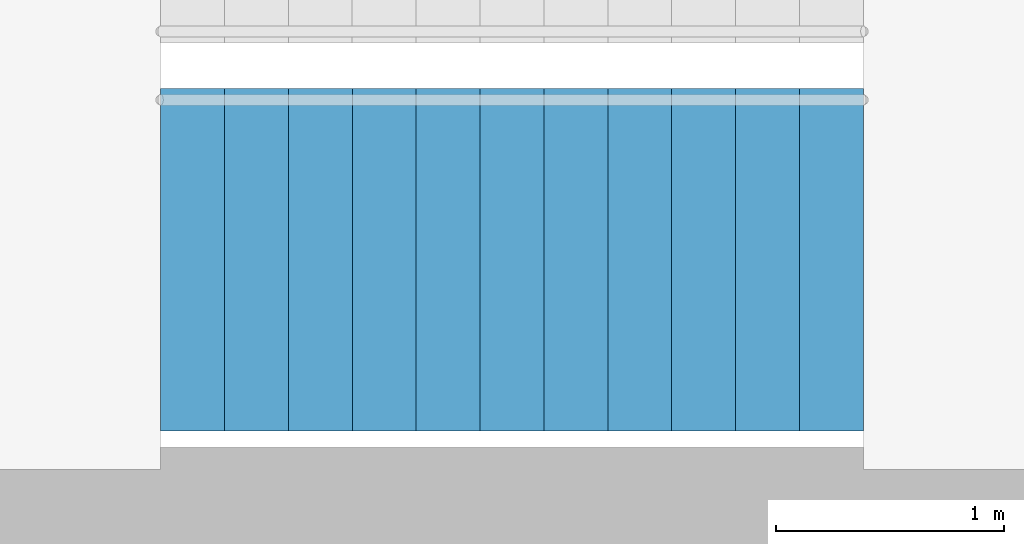
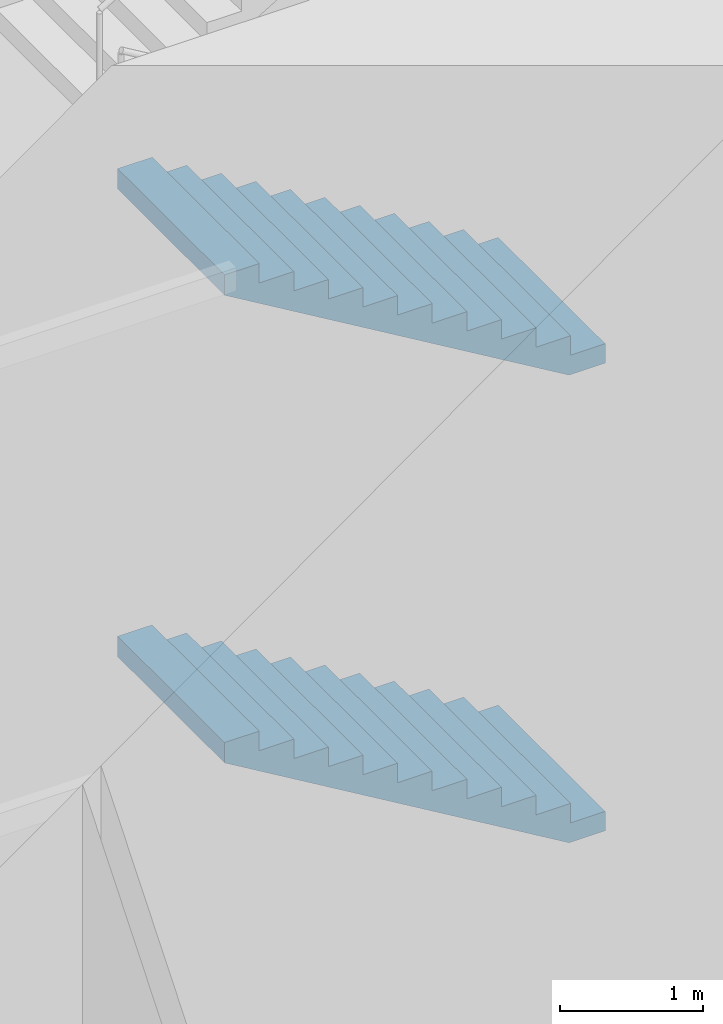
# One storey, part 32 of 74: 2 stair flights, 1 element without a shape of its own.
"""IFC4 building model written with IfcOpenShell, lengths in metres."""

from ifc_helpers import new_model, si_unit, direction, frame, origin, place, context, subcontext, project, spatial, triangles, material, type_object, element, aggregate, save


model = new_model("IFC4")

# Units and contexts
model_context = context("Model", 3, precision=1e-05, world=origin(), true_north=direction((0.0, 1.0)))
body_context = subcontext(model_context, "Body", "Model", "MODEL_VIEW")
ifc_project = project(units=[si_unit("LENGTHUNIT", "METRE"), si_unit("AREAUNIT", "SQUARE_METRE"), si_unit("VOLUMEUNIT", "CUBIC_METRE"), si_unit("PLANEANGLEUNIT", "RADIAN"), si_unit("MASSUNIT", "GRAM", prefix="KILO")], contexts=[model_context])

# Site, building, storey
site_placement = place(None, origin())
site = spatial("IfcSite", under=ifc_project, at=site_placement, CompositionType="ELEMENT")
building_placement = place(site_placement, origin())
building = spatial("IfcBuilding", under=site, at=building_placement, Name="Lantaw Convention Tower", CompositionType="ELEMENT")
storey_placement = place(building_placement, frame((0.0, 0.0, 6.5)))
storey = spatial("IfcBuildingStorey", under=building, at=storey_placement, Name="L01", CompositionType="ELEMENT", Elevation=6.5)

# Stair, stair flights
ifc_material = material(Name="Concrete C35/45", Category="concrete")
stair_type = type_object("IfcStairType", Name="Exit stair 1500 riser 166.67 in 4 flights", PredefinedType="HALF_TURN_STAIR", material=ifc_material)
stair_placement = place(storey_placement, origin())
stair = element("IfcStair", 1, at=stair_placement, inside=storey, type_object=stair_type, Name="Exit stair S2 L01", PredefinedType="HALF_TURN_STAIR")
stair_flight_type = type_object("IfcStairFlightType", Name="Stair flight 1500 riser 166.67", PredefinedType="STRAIGHT", material=ifc_material)
stair_flight_1_placement = place(storey_placement, frame((10.580078125, -5.97998046875, 0.0), z_axis=(0.0, 0.0, 1.0), x_axis=(-1.0, 0.0, 0.0)))
stair_flight_1 = element("IfcStairFlight", 2, at=stair_flight_1_placement, type_object=stair_flight_type, Name="S2 flight 1", NumberOfRisers=12, NumberOfTreads=11, PredefinedType="STRAIGHT", RiserHeight=0.166666667, TreadLength=0.28, context=body_context, shape_type="Tessellation", body=[
    triangles([(0.0, 0.75, 0.0), (0.0, 0.75, 0.166666667), (0.28, 0.75, 0.0), (0.28, 0.75, 0.166666667), (0.28, 0.75, 0.333333334), (0.29307345806906726, 0.75, 0.0), (0.29307345806906726, 0.75, 0.333333334), (0.56, 0.75, 0.15888484670522965), (0.56, 0.75, 0.333333334), (0.56, 0.75, 0.500000001), (0.8400000000000001, 0.75, 0.3255515137052296), (0.8400000000000001, 0.75, 0.500000001), (0.8400000000000001, 0.75, 0.666666668), (1.12, 0.75, 0.4922181807052296), (1.12, 0.75, 0.666666668), (1.12, 0.75, 0.833333335), (1.4000000000000001, 0.75, 0.6588848477052296), (1.4000000000000001, 0.75, 0.833333335), (1.4000000000000001, 0.75, 1.000000002), (1.6800000000000002, 0.75, 0.8255515147052296), (1.6800000000000002, 0.75, 1.000000002), (1.6800000000000002, 0.75, 1.166666669), (1.9600000000000002, 0.75, 0.9922181817052296), (1.9600000000000002, 0.75, 1.166666669), (1.9600000000000002, 0.75, 1.333333336), (2.24, 0.75, 1.1588848487052295), (2.24, 0.75, 1.333333336), (2.24, 0.75, 1.5000000029999998), (2.5200000000000005, 0.75, 1.3255515157052296), (2.5200000000000005, 0.75, 1.5000000029999998), (2.5200000000000005, 0.75, 1.66666667), (2.8000000000000003, 0.75, 1.4922181827052294), (2.8000000000000003, 0.75, 1.66666667), (2.8000000000000003, 0.75, 1.833333337), (3.08, 0.75, 1.6588848497052293), (3.08, 0.75, 1.833333337), (0.0, -0.75, 0.0), (0.0, -0.75, 0.166666667), (0.28, -0.75, 0.0), (0.28, -0.75, 0.166666667), (0.28, -0.75, 0.333333334), (0.29307345806906726, -0.75, 0.0), (0.29307345806906726, -0.75, 0.333333334), (0.56, -0.75, 0.15888484670522965), (0.56, -0.75, 0.333333334), (0.56, -0.75, 0.500000001), (0.8400000000000001, -0.75, 0.3255515137052296), (0.8400000000000001, -0.75, 0.500000001), (0.8400000000000001, -0.75, 0.666666668), (1.12, -0.75, 0.4922181807052296), (1.12, -0.75, 0.666666668), (1.12, -0.75, 0.833333335), (1.4000000000000001, -0.75, 0.6588848477052296), (1.4000000000000001, -0.75, 0.833333335), (1.4000000000000001, -0.75, 1.000000002), (1.6800000000000002, -0.75, 0.8255515147052296), (1.6800000000000002, -0.75, 1.000000002), (1.6800000000000002, -0.75, 1.166666669), (1.9600000000000002, -0.75, 0.9922181817052296), (1.9600000000000002, -0.75, 1.166666669), (1.9600000000000002, -0.75, 1.333333336), (2.24, -0.75, 1.1588848487052295), (2.24, -0.75, 1.333333336), (2.24, -0.75, 1.5000000029999998), (2.5200000000000005, -0.75, 1.3255515157052296), (2.5200000000000005, -0.75, 1.5000000029999998), (2.5200000000000005, -0.75, 1.66666667), (2.8000000000000003, -0.75, 1.4922181827052294), (2.8000000000000003, -0.75, 1.66666667), (2.8000000000000003, -0.75, 1.833333337), (3.08, -0.75, 1.6588848497052293), (3.08, -0.75, 1.833333337), (0.0, 0.15000000000000002, 0.166666667), (0.0, 0.15000000000000002, 0.0), (0.0, 0.0, 0.166666667), (0.0, 0.0, 0.0), (0.0, -0.15000000000000002, 0.166666667), (0.0, -0.15000000000000002, 0.0), (0.28, 0.15000000000000002, 0.333333334), (0.28, 0.15000000000000002, 0.166666667), (0.28, 0.0, 0.333333334), (0.28, 0.0, 0.166666667), (0.28, -0.15000000000000002, 0.333333334), (0.28, -0.15000000000000002, 0.166666667), (0.56, 0.15000000000000002, 0.500000001), (0.56, 0.15000000000000002, 0.333333334), (0.56, 0.0, 0.500000001), (0.56, 0.0, 0.333333334), (0.56, -0.15000000000000002, 0.500000001), (0.56, -0.15000000000000002, 0.333333334), (0.8400000000000001, 0.15000000000000002, 0.666666668), (0.8400000000000001, 0.15000000000000002, 0.500000001), (0.8400000000000001, 0.0, 0.666666668), (0.8400000000000001, 0.0, 0.500000001), (0.8400000000000001, -0.15000000000000002, 0.666666668), (0.8400000000000001, -0.15000000000000002, 0.500000001), (1.12, 0.15000000000000002, 0.833333335), (1.12, 0.15000000000000002, 0.666666668), (1.12, 0.0, 0.833333335), (1.12, 0.0, 0.666666668), (1.12, -0.15000000000000002, 0.833333335), (1.12, -0.15000000000000002, 0.666666668), (1.4000000000000001, 0.15000000000000002, 1.000000002), (1.4000000000000001, 0.15000000000000002, 0.833333335), (1.4000000000000001, 0.0, 1.000000002), (1.4000000000000001, 0.0, 0.833333335), (1.4000000000000001, -0.15000000000000002, 1.000000002), (1.4000000000000001, -0.15000000000000002, 0.833333335), (1.6800000000000002, 0.15000000000000002, 1.166666669), (1.6800000000000002, 0.15000000000000002, 1.000000002), (1.6800000000000002, 0.0, 1.166666669), (1.6800000000000002, 0.0, 1.000000002), (1.6800000000000002, -0.15000000000000002, 1.166666669), (1.6800000000000002, -0.15000000000000002, 1.000000002), (1.9600000000000002, 0.15000000000000002, 1.333333336), (1.9600000000000002, 0.15000000000000002, 1.166666669), (1.9600000000000002, 0.0, 1.333333336), (1.9600000000000002, 0.0, 1.166666669), (1.9600000000000002, -0.15000000000000002, 1.333333336), (1.9600000000000002, -0.15000000000000002, 1.166666669), (2.24, 0.15000000000000002, 1.5000000029999998), (2.24, 0.15000000000000002, 1.333333336), (2.24, 0.0, 1.5000000029999998), (2.24, 0.0, 1.333333336), (2.24, -0.15000000000000002, 1.5000000029999998), (2.24, -0.15000000000000002, 1.333333336), (2.5200000000000005, 0.15000000000000002, 1.66666667), (2.5200000000000005, 0.15000000000000002, 1.5000000029999998), (2.5200000000000005, 0.0, 1.66666667), (2.5200000000000005, 0.0, 1.5000000029999998), (2.5200000000000005, -0.15000000000000002, 1.66666667), (2.5200000000000005, -0.15000000000000002, 1.5000000029999998), (2.8000000000000003, 0.15000000000000002, 1.833333337), (2.8000000000000003, 0.15000000000000002, 1.66666667), (2.8000000000000003, 0.0, 1.833333337), (2.8000000000000003, 0.0, 1.66666667), (2.8000000000000003, -0.15000000000000002, 1.833333337), (2.8000000000000003, -0.15000000000000002, 1.66666667), (0.29307345806906726, 0.15000000000000002, 0.333333334), (0.29307345806906726, 0.0, 0.333333334), (0.29307345806906726, -0.15000000000000002, 0.333333334), (3.08, 0.15000000000000002, 1.833333337), (3.08, 0.0, 1.833333337), (3.08, -0.15000000000000002, 1.833333337), (3.08, 0.15000000000000002, 1.6588848497052293), (3.08, 0.0, 1.6588848497052293), (3.08, -0.15000000000000002, 1.6588848497052293), (2.8000000000000003, 0.15000000000000002, 1.4922181827052294), (2.8000000000000003, 0.0, 1.4922181827052294), (2.8000000000000003, -0.15000000000000002, 1.4922181827052294), (2.5200000000000005, 0.15000000000000002, 1.3255515157052296), (2.5200000000000005, 0.0, 1.3255515157052296), (2.5200000000000005, -0.15000000000000002, 1.3255515157052296), (2.24, 0.15000000000000002, 1.1588848487052295), (2.24, 0.0, 1.1588848487052295), (2.24, -0.15000000000000002, 1.1588848487052295), (1.9600000000000002, 0.15000000000000002, 0.9922181817052296), (1.9600000000000002, 0.0, 0.9922181817052296), (1.9600000000000002, -0.15000000000000002, 0.9922181817052296), (1.6800000000000002, 0.15000000000000002, 0.8255515147052296), (1.6800000000000002, 0.0, 0.8255515147052296), (1.6800000000000002, -0.15000000000000002, 0.8255515147052296), (1.4000000000000001, 0.15000000000000002, 0.6588848477052296), (1.4000000000000001, 0.0, 0.6588848477052296), (1.4000000000000001, -0.15000000000000002, 0.6588848477052296), (1.12, 0.15000000000000002, 0.4922181807052296), (1.12, 0.0, 0.4922181807052296), (1.12, -0.15000000000000002, 0.4922181807052296), (0.8400000000000001, 0.15000000000000002, 0.3255515137052296), (0.8400000000000001, 0.0, 0.3255515137052296), (0.8400000000000001, -0.15000000000000002, 0.3255515137052296), (0.56, 0.15000000000000002, 0.15888484670522965), (0.56, 0.0, 0.15888484670522965), (0.56, -0.15000000000000002, 0.15888484670522965), (0.29307345806906726, 0.15000000000000002, 0.0), (0.29307345806906726, 0.0, 0.0), (0.29307345806906726, -0.15000000000000002, 0.0), (0.28, 0.15000000000000002, 0.0), (0.28, 0.0, 0.0), (0.28, -0.15000000000000002, 0.0)], [[1, 4, 3], [1, 2, 4], [3, 4, 6], [4, 7, 6], [4, 5, 7], [6, 9, 8], [6, 7, 9], [8, 9, 11], [9, 12, 11], [9, 10, 12], [11, 12, 14], [12, 15, 14], [12, 13, 15], [14, 15, 17], [15, 18, 17], [15, 16, 18], [17, 18, 20], [18, 21, 20], [18, 19, 21], [20, 21, 23], [21, 24, 23], [21, 22, 24], [23, 24, 26], [24, 27, 26], [24, 25, 27], [26, 27, 29], [27, 30, 29], [27, 28, 30], [29, 30, 32], [30, 33, 32], [30, 31, 33], [32, 33, 35], [33, 36, 35], [33, 34, 36], [37, 39, 40], [37, 40, 38], [39, 42, 40], [40, 42, 43], [40, 43, 41], [42, 44, 45], [42, 45, 43], [44, 47, 45], [45, 47, 48], [45, 48, 46], [47, 50, 48], [48, 50, 51], [48, 51, 49], [50, 53, 51], [51, 53, 54], [51, 54, 52], [53, 56, 54], [54, 56, 57], [54, 57, 55], [56, 59, 57], [57, 59, 60], [57, 60, 58], [59, 62, 60], [60, 62, 63], [60, 63, 61], [62, 65, 63], [63, 65, 66], [63, 66, 64], [65, 68, 66], [66, 68, 69], [66, 69, 67], [68, 71, 69], [69, 71, 72], [69, 72, 70], [1, 73, 2], [1, 74, 73], [74, 75, 73], [74, 76, 75], [76, 77, 75], [76, 78, 77], [78, 38, 77], [78, 37, 38], [4, 79, 5], [4, 80, 79], [80, 81, 79], [80, 82, 81], [82, 83, 81], [82, 84, 83], [84, 41, 83], [84, 40, 41], [9, 85, 10], [9, 86, 85], [86, 87, 85], [86, 88, 87], [88, 89, 87], [88, 90, 89], [90, 46, 89], [90, 45, 46], [12, 91, 13], [12, 92, 91], [92, 93, 91], [92, 94, 93], [94, 95, 93], [94, 96, 95], [96, 49, 95], [96, 48, 49], [15, 97, 16], [15, 98, 97], [98, 99, 97], [98, 100, 99], [100, 101, 99], [100, 102, 101], [102, 52, 101], [102, 51, 52], [18, 103, 19], [18, 104, 103], [104, 105, 103], [104, 106, 105], [106, 107, 105], [106, 108, 107], [108, 55, 107], [108, 54, 55], [21, 109, 22], [21, 110, 109], [110, 111, 109], [110, 112, 111], [112, 113, 111], [112, 114, 113], [114, 58, 113], [114, 57, 58], [24, 115, 25], [24, 116, 115], [116, 117, 115], [116, 118, 117], [118, 119, 117], [118, 120, 119], [120, 61, 119], [120, 60, 61], [27, 121, 28], [27, 122, 121], [122, 123, 121], [122, 124, 123], [124, 125, 123], [124, 126, 125], [126, 64, 125], [126, 63, 64], [30, 127, 31], [30, 128, 127], [128, 129, 127], [128, 130, 129], [130, 131, 129], [130, 132, 131], [132, 67, 131], [132, 66, 67], [33, 133, 34], [33, 134, 133], [134, 135, 133], [134, 136, 135], [136, 137, 135], [136, 138, 137], [138, 70, 137], [138, 69, 70], [2, 80, 4], [2, 73, 80], [73, 82, 80], [73, 75, 82], [75, 84, 82], [75, 77, 84], [77, 40, 84], [77, 38, 40], [5, 139, 7], [5, 79, 139], [79, 140, 139], [79, 81, 140], [81, 141, 140], [81, 83, 141], [83, 43, 141], [83, 41, 43], [7, 86, 9], [7, 139, 86], [139, 88, 86], [139, 140, 88], [140, 90, 88], [140, 141, 90], [141, 45, 90], [141, 43, 45], [10, 92, 12], [10, 85, 92], [85, 94, 92], [85, 87, 94], [87, 96, 94], [87, 89, 96], [89, 48, 96], [89, 46, 48], [13, 98, 15], [13, 91, 98], [91, 100, 98], [91, 93, 100], [93, 102, 100], [93, 95, 102], [95, 51, 102], [95, 49, 51], [16, 104, 18], [16, 97, 104], [97, 106, 104], [97, 99, 106], [99, 108, 106], [99, 101, 108], [101, 54, 108], [101, 52, 54], [19, 110, 21], [19, 103, 110], [103, 112, 110], [103, 105, 112], [105, 114, 112], [105, 107, 114], [107, 57, 114], [107, 55, 57], [22, 116, 24], [22, 109, 116], [109, 118, 116], [109, 111, 118], [111, 120, 118], [111, 113, 120], [113, 60, 120], [113, 58, 60], [25, 122, 27], [25, 115, 122], [115, 124, 122], [115, 117, 124], [117, 126, 124], [117, 119, 126], [119, 63, 126], [119, 61, 63], [28, 128, 30], [28, 121, 128], [121, 130, 128], [121, 123, 130], [123, 132, 130], [123, 125, 132], [125, 66, 132], [125, 64, 66], [31, 134, 33], [31, 127, 134], [127, 136, 134], [127, 129, 136], [129, 138, 136], [129, 131, 138], [131, 69, 138], [131, 67, 69], [34, 142, 36], [34, 133, 142], [133, 143, 142], [133, 135, 143], [135, 144, 143], [135, 137, 144], [137, 72, 144], [137, 70, 72], [36, 145, 35], [36, 142, 145], [142, 146, 145], [142, 143, 146], [143, 147, 146], [143, 144, 147], [144, 71, 147], [144, 72, 71], [35, 148, 32], [35, 145, 148], [145, 149, 148], [145, 146, 149], [146, 150, 149], [146, 147, 150], [147, 68, 150], [147, 71, 68], [32, 151, 29], [32, 148, 151], [148, 152, 151], [148, 149, 152], [149, 153, 152], [149, 150, 153], [150, 65, 153], [150, 68, 65], [29, 154, 26], [29, 151, 154], [151, 155, 154], [151, 152, 155], [152, 156, 155], [152, 153, 156], [153, 62, 156], [153, 65, 62], [26, 157, 23], [26, 154, 157], [154, 158, 157], [154, 155, 158], [155, 159, 158], [155, 156, 159], [156, 59, 159], [156, 62, 59], [23, 160, 20], [23, 157, 160], [157, 161, 160], [157, 158, 161], [158, 162, 161], [158, 159, 162], [159, 56, 162], [159, 59, 56], [20, 163, 17], [20, 160, 163], [160, 164, 163], [160, 161, 164], [161, 165, 164], [161, 162, 165], [162, 53, 165], [162, 56, 53], [17, 166, 14], [17, 163, 166], [163, 167, 166], [163, 164, 167], [164, 168, 167], [164, 165, 168], [165, 50, 168], [165, 53, 50], [14, 169, 11], [14, 166, 169], [166, 170, 169], [166, 167, 170], [167, 171, 170], [167, 168, 171], [168, 47, 171], [168, 50, 47], [11, 172, 8], [11, 169, 172], [169, 173, 172], [169, 170, 173], [170, 174, 173], [170, 171, 174], [171, 44, 174], [171, 47, 44], [8, 175, 6], [8, 172, 175], [172, 176, 175], [172, 173, 176], [173, 177, 176], [173, 174, 177], [174, 42, 177], [174, 44, 42], [6, 178, 3], [6, 175, 178], [175, 179, 178], [175, 176, 179], [176, 180, 179], [176, 177, 180], [177, 39, 180], [177, 42, 39], [3, 74, 1], [3, 178, 74], [178, 76, 74], [178, 179, 76], [179, 78, 76], [179, 180, 78], [180, 37, 78], [180, 39, 37]], closed=True),
])
stair_flight_2_placement = place(storey_placement, frame((10.580078125, -5.97998046875, 4.0), z_axis=(0.0, 0.0, 1.0), x_axis=(-1.0, 0.0, 0.0)))
stair_flight_2 = element("IfcStairFlight", 3, at=stair_flight_2_placement, type_object=stair_flight_type, Name="S2 flight 3", NumberOfRisers=12, NumberOfTreads=11, PredefinedType="STRAIGHT", RiserHeight=0.166666667, TreadLength=0.28, context=body_context, shape_type="Tessellation", body=[
    triangles([(0.0, 0.75, 0.0), (0.0, 0.75, 0.166666667), (0.28, 0.75, 0.0), (0.28, 0.75, 0.166666667), (0.28, 0.75, 0.333333334), (0.29307345806906726, 0.75, 0.0), (0.29307345806906726, 0.75, 0.333333334), (0.56, 0.75, 0.15888484670522965), (0.56, 0.75, 0.333333334), (0.56, 0.75, 0.500000001), (0.8400000000000001, 0.75, 0.3255515137052296), (0.8400000000000001, 0.75, 0.500000001), (0.8400000000000001, 0.75, 0.666666668), (1.12, 0.75, 0.4922181807052296), (1.12, 0.75, 0.666666668), (1.12, 0.75, 0.833333335), (1.4000000000000001, 0.75, 0.6588848477052296), (1.4000000000000001, 0.75, 0.833333335), (1.4000000000000001, 0.75, 1.000000002), (1.6800000000000002, 0.75, 0.8255515147052296), (1.6800000000000002, 0.75, 1.000000002), (1.6800000000000002, 0.75, 1.166666669), (1.9600000000000002, 0.75, 0.9922181817052296), (1.9600000000000002, 0.75, 1.166666669), (1.9600000000000002, 0.75, 1.333333336), (2.24, 0.75, 1.1588848487052295), (2.24, 0.75, 1.333333336), (2.24, 0.75, 1.5000000029999998), (2.5200000000000005, 0.75, 1.3255515157052296), (2.5200000000000005, 0.75, 1.5000000029999998), (2.5200000000000005, 0.75, 1.66666667), (2.8000000000000003, 0.75, 1.4922181827052294), (2.8000000000000003, 0.75, 1.66666667), (2.8000000000000003, 0.75, 1.833333337), (3.08, 0.75, 1.6588848497052293), (3.08, 0.75, 1.833333337), (0.0, -0.75, 0.0), (0.0, -0.75, 0.166666667), (0.28, -0.75, 0.0), (0.28, -0.75, 0.166666667), (0.28, -0.75, 0.333333334), (0.29307345806906726, -0.75, 0.0), (0.29307345806906726, -0.75, 0.333333334), (0.56, -0.75, 0.15888484670522965), (0.56, -0.75, 0.333333334), (0.56, -0.75, 0.500000001), (0.8400000000000001, -0.75, 0.3255515137052296), (0.8400000000000001, -0.75, 0.500000001), (0.8400000000000001, -0.75, 0.666666668), (1.12, -0.75, 0.4922181807052296), (1.12, -0.75, 0.666666668), (1.12, -0.75, 0.833333335), (1.4000000000000001, -0.75, 0.6588848477052296), (1.4000000000000001, -0.75, 0.833333335), (1.4000000000000001, -0.75, 1.000000002), (1.6800000000000002, -0.75, 0.8255515147052296), (1.6800000000000002, -0.75, 1.000000002), (1.6800000000000002, -0.75, 1.166666669), (1.9600000000000002, -0.75, 0.9922181817052296), (1.9600000000000002, -0.75, 1.166666669), (1.9600000000000002, -0.75, 1.333333336), (2.24, -0.75, 1.1588848487052295), (2.24, -0.75, 1.333333336), (2.24, -0.75, 1.5000000029999998), (2.5200000000000005, -0.75, 1.3255515157052296), (2.5200000000000005, -0.75, 1.5000000029999998), (2.5200000000000005, -0.75, 1.66666667), (2.8000000000000003, -0.75, 1.4922181827052294), (2.8000000000000003, -0.75, 1.66666667), (2.8000000000000003, -0.75, 1.833333337), (3.08, -0.75, 1.6588848497052293), (3.08, -0.75, 1.833333337), (0.0, 0.15000000000000002, 0.166666667), (0.0, 0.15000000000000002, 0.0), (0.0, 0.0, 0.166666667), (0.0, 0.0, 0.0), (0.0, -0.15000000000000002, 0.166666667), (0.0, -0.15000000000000002, 0.0), (0.28, 0.15000000000000002, 0.333333334), (0.28, 0.15000000000000002, 0.166666667), (0.28, 0.0, 0.333333334), (0.28, 0.0, 0.166666667), (0.28, -0.15000000000000002, 0.333333334), (0.28, -0.15000000000000002, 0.166666667), (0.56, 0.15000000000000002, 0.500000001), (0.56, 0.15000000000000002, 0.333333334), (0.56, 0.0, 0.500000001), (0.56, 0.0, 0.333333334), (0.56, -0.15000000000000002, 0.500000001), (0.56, -0.15000000000000002, 0.333333334), (0.8400000000000001, 0.15000000000000002, 0.666666668), (0.8400000000000001, 0.15000000000000002, 0.500000001), (0.8400000000000001, 0.0, 0.666666668), (0.8400000000000001, 0.0, 0.500000001), (0.8400000000000001, -0.15000000000000002, 0.666666668), (0.8400000000000001, -0.15000000000000002, 0.500000001), (1.12, 0.15000000000000002, 0.833333335), (1.12, 0.15000000000000002, 0.666666668), (1.12, 0.0, 0.833333335), (1.12, 0.0, 0.666666668), (1.12, -0.15000000000000002, 0.833333335), (1.12, -0.15000000000000002, 0.666666668), (1.4000000000000001, 0.15000000000000002, 1.000000002), (1.4000000000000001, 0.15000000000000002, 0.833333335), (1.4000000000000001, 0.0, 1.000000002), (1.4000000000000001, 0.0, 0.833333335), (1.4000000000000001, -0.15000000000000002, 1.000000002), (1.4000000000000001, -0.15000000000000002, 0.833333335), (1.6800000000000002, 0.15000000000000002, 1.166666669), (1.6800000000000002, 0.15000000000000002, 1.000000002), (1.6800000000000002, 0.0, 1.166666669), (1.6800000000000002, 0.0, 1.000000002), (1.6800000000000002, -0.15000000000000002, 1.166666669), (1.6800000000000002, -0.15000000000000002, 1.000000002), (1.9600000000000002, 0.15000000000000002, 1.333333336), (1.9600000000000002, 0.15000000000000002, 1.166666669), (1.9600000000000002, 0.0, 1.333333336), (1.9600000000000002, 0.0, 1.166666669), (1.9600000000000002, -0.15000000000000002, 1.333333336), (1.9600000000000002, -0.15000000000000002, 1.166666669), (2.24, 0.15000000000000002, 1.5000000029999998), (2.24, 0.15000000000000002, 1.333333336), (2.24, 0.0, 1.5000000029999998), (2.24, 0.0, 1.333333336), (2.24, -0.15000000000000002, 1.5000000029999998), (2.24, -0.15000000000000002, 1.333333336), (2.5200000000000005, 0.15000000000000002, 1.66666667), (2.5200000000000005, 0.15000000000000002, 1.5000000029999998), (2.5200000000000005, 0.0, 1.66666667), (2.5200000000000005, 0.0, 1.5000000029999998), (2.5200000000000005, -0.15000000000000002, 1.66666667), (2.5200000000000005, -0.15000000000000002, 1.5000000029999998), (2.8000000000000003, 0.15000000000000002, 1.833333337), (2.8000000000000003, 0.15000000000000002, 1.66666667), (2.8000000000000003, 0.0, 1.833333337), (2.8000000000000003, 0.0, 1.66666667), (2.8000000000000003, -0.15000000000000002, 1.833333337), (2.8000000000000003, -0.15000000000000002, 1.66666667), (0.29307345806906726, 0.15000000000000002, 0.333333334), (0.29307345806906726, 0.0, 0.333333334), (0.29307345806906726, -0.15000000000000002, 0.333333334), (3.08, 0.15000000000000002, 1.833333337), (3.08, 0.0, 1.833333337), (3.08, -0.15000000000000002, 1.833333337), (3.08, 0.15000000000000002, 1.6588848497052293), (3.08, 0.0, 1.6588848497052293), (3.08, -0.15000000000000002, 1.6588848497052293), (2.8000000000000003, 0.15000000000000002, 1.4922181827052294), (2.8000000000000003, 0.0, 1.4922181827052294), (2.8000000000000003, -0.15000000000000002, 1.4922181827052294), (2.5200000000000005, 0.15000000000000002, 1.3255515157052296), (2.5200000000000005, 0.0, 1.3255515157052296), (2.5200000000000005, -0.15000000000000002, 1.3255515157052296), (2.24, 0.15000000000000002, 1.1588848487052295), (2.24, 0.0, 1.1588848487052295), (2.24, -0.15000000000000002, 1.1588848487052295), (1.9600000000000002, 0.15000000000000002, 0.9922181817052296), (1.9600000000000002, 0.0, 0.9922181817052296), (1.9600000000000002, -0.15000000000000002, 0.9922181817052296), (1.6800000000000002, 0.15000000000000002, 0.8255515147052296), (1.6800000000000002, 0.0, 0.8255515147052296), (1.6800000000000002, -0.15000000000000002, 0.8255515147052296), (1.4000000000000001, 0.15000000000000002, 0.6588848477052296), (1.4000000000000001, 0.0, 0.6588848477052296), (1.4000000000000001, -0.15000000000000002, 0.6588848477052296), (1.12, 0.15000000000000002, 0.4922181807052296), (1.12, 0.0, 0.4922181807052296), (1.12, -0.15000000000000002, 0.4922181807052296), (0.8400000000000001, 0.15000000000000002, 0.3255515137052296), (0.8400000000000001, 0.0, 0.3255515137052296), (0.8400000000000001, -0.15000000000000002, 0.3255515137052296), (0.56, 0.15000000000000002, 0.15888484670522965), (0.56, 0.0, 0.15888484670522965), (0.56, -0.15000000000000002, 0.15888484670522965), (0.29307345806906726, 0.15000000000000002, 0.0), (0.29307345806906726, 0.0, 0.0), (0.29307345806906726, -0.15000000000000002, 0.0), (0.28, 0.15000000000000002, 0.0), (0.28, 0.0, 0.0), (0.28, -0.15000000000000002, 0.0)], [[1, 4, 3], [1, 2, 4], [3, 4, 6], [4, 7, 6], [4, 5, 7], [6, 9, 8], [6, 7, 9], [8, 9, 11], [9, 12, 11], [9, 10, 12], [11, 12, 14], [12, 15, 14], [12, 13, 15], [14, 15, 17], [15, 18, 17], [15, 16, 18], [17, 18, 20], [18, 21, 20], [18, 19, 21], [20, 21, 23], [21, 24, 23], [21, 22, 24], [23, 24, 26], [24, 27, 26], [24, 25, 27], [26, 27, 29], [27, 30, 29], [27, 28, 30], [29, 30, 32], [30, 33, 32], [30, 31, 33], [32, 33, 35], [33, 36, 35], [33, 34, 36], [37, 39, 40], [37, 40, 38], [39, 42, 40], [40, 42, 43], [40, 43, 41], [42, 44, 45], [42, 45, 43], [44, 47, 45], [45, 47, 48], [45, 48, 46], [47, 50, 48], [48, 50, 51], [48, 51, 49], [50, 53, 51], [51, 53, 54], [51, 54, 52], [53, 56, 54], [54, 56, 57], [54, 57, 55], [56, 59, 57], [57, 59, 60], [57, 60, 58], [59, 62, 60], [60, 62, 63], [60, 63, 61], [62, 65, 63], [63, 65, 66], [63, 66, 64], [65, 68, 66], [66, 68, 69], [66, 69, 67], [68, 71, 69], [69, 71, 72], [69, 72, 70], [1, 73, 2], [1, 74, 73], [74, 75, 73], [74, 76, 75], [76, 77, 75], [76, 78, 77], [78, 38, 77], [78, 37, 38], [4, 79, 5], [4, 80, 79], [80, 81, 79], [80, 82, 81], [82, 83, 81], [82, 84, 83], [84, 41, 83], [84, 40, 41], [9, 85, 10], [9, 86, 85], [86, 87, 85], [86, 88, 87], [88, 89, 87], [88, 90, 89], [90, 46, 89], [90, 45, 46], [12, 91, 13], [12, 92, 91], [92, 93, 91], [92, 94, 93], [94, 95, 93], [94, 96, 95], [96, 49, 95], [96, 48, 49], [15, 97, 16], [15, 98, 97], [98, 99, 97], [98, 100, 99], [100, 101, 99], [100, 102, 101], [102, 52, 101], [102, 51, 52], [18, 103, 19], [18, 104, 103], [104, 105, 103], [104, 106, 105], [106, 107, 105], [106, 108, 107], [108, 55, 107], [108, 54, 55], [21, 109, 22], [21, 110, 109], [110, 111, 109], [110, 112, 111], [112, 113, 111], [112, 114, 113], [114, 58, 113], [114, 57, 58], [24, 115, 25], [24, 116, 115], [116, 117, 115], [116, 118, 117], [118, 119, 117], [118, 120, 119], [120, 61, 119], [120, 60, 61], [27, 121, 28], [27, 122, 121], [122, 123, 121], [122, 124, 123], [124, 125, 123], [124, 126, 125], [126, 64, 125], [126, 63, 64], [30, 127, 31], [30, 128, 127], [128, 129, 127], [128, 130, 129], [130, 131, 129], [130, 132, 131], [132, 67, 131], [132, 66, 67], [33, 133, 34], [33, 134, 133], [134, 135, 133], [134, 136, 135], [136, 137, 135], [136, 138, 137], [138, 70, 137], [138, 69, 70], [2, 80, 4], [2, 73, 80], [73, 82, 80], [73, 75, 82], [75, 84, 82], [75, 77, 84], [77, 40, 84], [77, 38, 40], [5, 139, 7], [5, 79, 139], [79, 140, 139], [79, 81, 140], [81, 141, 140], [81, 83, 141], [83, 43, 141], [83, 41, 43], [7, 86, 9], [7, 139, 86], [139, 88, 86], [139, 140, 88], [140, 90, 88], [140, 141, 90], [141, 45, 90], [141, 43, 45], [10, 92, 12], [10, 85, 92], [85, 94, 92], [85, 87, 94], [87, 96, 94], [87, 89, 96], [89, 48, 96], [89, 46, 48], [13, 98, 15], [13, 91, 98], [91, 100, 98], [91, 93, 100], [93, 102, 100], [93, 95, 102], [95, 51, 102], [95, 49, 51], [16, 104, 18], [16, 97, 104], [97, 106, 104], [97, 99, 106], [99, 108, 106], [99, 101, 108], [101, 54, 108], [101, 52, 54], [19, 110, 21], [19, 103, 110], [103, 112, 110], [103, 105, 112], [105, 114, 112], [105, 107, 114], [107, 57, 114], [107, 55, 57], [22, 116, 24], [22, 109, 116], [109, 118, 116], [109, 111, 118], [111, 120, 118], [111, 113, 120], [113, 60, 120], [113, 58, 60], [25, 122, 27], [25, 115, 122], [115, 124, 122], [115, 117, 124], [117, 126, 124], [117, 119, 126], [119, 63, 126], [119, 61, 63], [28, 128, 30], [28, 121, 128], [121, 130, 128], [121, 123, 130], [123, 132, 130], [123, 125, 132], [125, 66, 132], [125, 64, 66], [31, 134, 33], [31, 127, 134], [127, 136, 134], [127, 129, 136], [129, 138, 136], [129, 131, 138], [131, 69, 138], [131, 67, 69], [34, 142, 36], [34, 133, 142], [133, 143, 142], [133, 135, 143], [135, 144, 143], [135, 137, 144], [137, 72, 144], [137, 70, 72], [36, 145, 35], [36, 142, 145], [142, 146, 145], [142, 143, 146], [143, 147, 146], [143, 144, 147], [144, 71, 147], [144, 72, 71], [35, 148, 32], [35, 145, 148], [145, 149, 148], [145, 146, 149], [146, 150, 149], [146, 147, 150], [147, 68, 150], [147, 71, 68], [32, 151, 29], [32, 148, 151], [148, 152, 151], [148, 149, 152], [149, 153, 152], [149, 150, 153], [150, 65, 153], [150, 68, 65], [29, 154, 26], [29, 151, 154], [151, 155, 154], [151, 152, 155], [152, 156, 155], [152, 153, 156], [153, 62, 156], [153, 65, 62], [26, 157, 23], [26, 154, 157], [154, 158, 157], [154, 155, 158], [155, 159, 158], [155, 156, 159], [156, 59, 159], [156, 62, 59], [23, 160, 20], [23, 157, 160], [157, 161, 160], [157, 158, 161], [158, 162, 161], [158, 159, 162], [159, 56, 162], [159, 59, 56], [20, 163, 17], [20, 160, 163], [160, 164, 163], [160, 161, 164], [161, 165, 164], [161, 162, 165], [162, 53, 165], [162, 56, 53], [17, 166, 14], [17, 163, 166], [163, 167, 166], [163, 164, 167], [164, 168, 167], [164, 165, 168], [165, 50, 168], [165, 53, 50], [14, 169, 11], [14, 166, 169], [166, 170, 169], [166, 167, 170], [167, 171, 170], [167, 168, 171], [168, 47, 171], [168, 50, 47], [11, 172, 8], [11, 169, 172], [169, 173, 172], [169, 170, 173], [170, 174, 173], [170, 171, 174], [171, 44, 174], [171, 47, 44], [8, 175, 6], [8, 172, 175], [172, 176, 175], [172, 173, 176], [173, 177, 176], [173, 174, 177], [174, 42, 177], [174, 44, 42], [6, 178, 3], [6, 175, 178], [175, 179, 178], [175, 176, 179], [176, 180, 179], [176, 177, 180], [177, 39, 180], [177, 42, 39], [3, 74, 1], [3, 178, 74], [178, 76, 74], [178, 179, 76], [179, 78, 76], [179, 180, 78], [180, 37, 78], [180, 39, 37]], closed=True),
])
aggregate(stair, [stair_flight_1, stair_flight_2])

save(model, "model.ifc")
